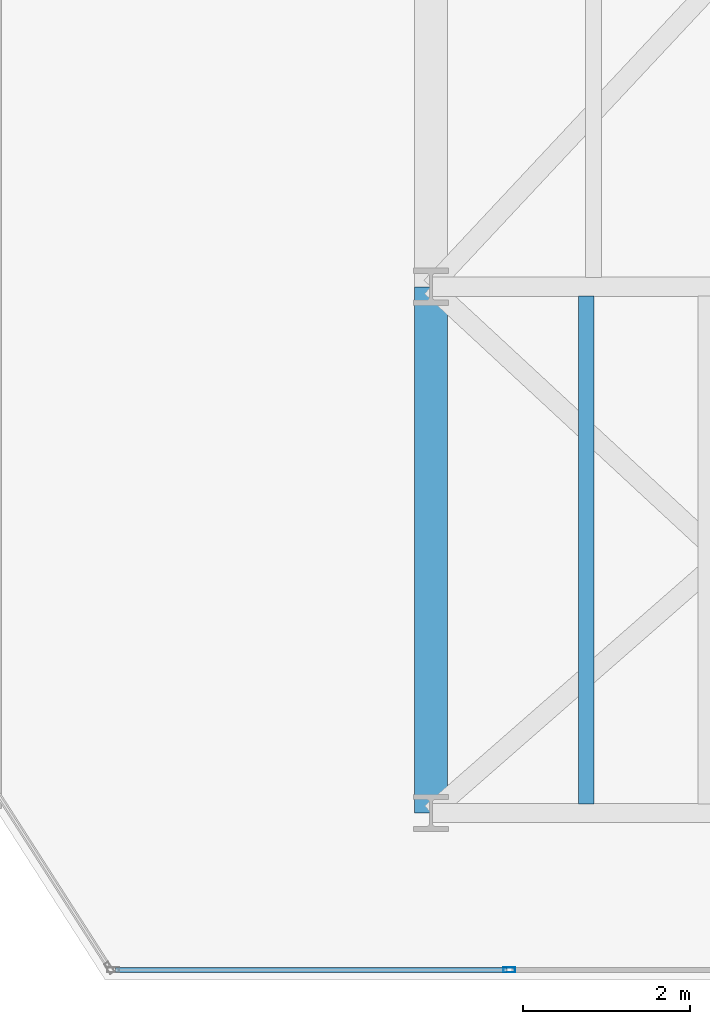
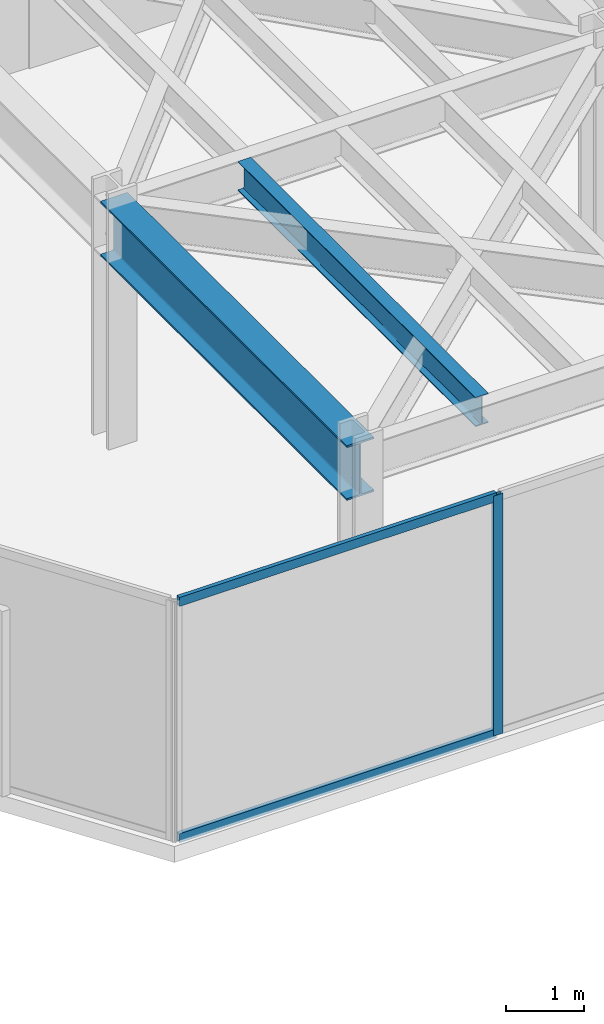
# One storey, part 16 of 26: 3 members, 2 beams, 1 element without a shape of its own.
"""IFC4 building model written with IfcOpenShell, lengths in metres."""

import ifcopenshell
import ifcopenshell.guid

model = None  # the IFC model being written
_history = None  # IfcOwnerHistory: only IFC2X3 demands one
_inside = {}  # id of a spatial element -> (the spatial element, [elements in it])
_under = {}  # id of a project, library or spatial element -> (it, [spatial elements below it])
_declared = {}  # id of a project -> (the project, [libraries it declares])
_typed = {}  # id of a type object -> (the type object, [elements of that type])
_made_of = {}  # id of a material, layer set ... -> (it, [elements and type objects made of it])


def new_model(schema):
    """Start an empty IFC model of exactly this schema.

    Asked for "IFC4X3", IfcOpenShell would pick the latest addendum, in which some entities
    have other attributes; the version numbers below select the first issue.
    IFC2X3 requires an IfcOwnerHistory on every rooted entity: one is made here for all.
    """
    global model, _history
    if schema == "IFC4X3":
        model = ifcopenshell.file(schema_version=(4, 3, 0, 0))
    else:
        model = ifcopenshell.file(schema=schema)
    _inside.clear()
    _under.clear()
    _declared.clear()
    _typed.clear()
    _made_of.clear()
    _history = None
    if model.schema == "IFC2X3":
        org = make("IfcOrganization", Name="unknown")
        user = make(
            "IfcPersonAndOrganization",
            ThePerson=make("IfcPerson", FamilyName="unknown"),
            TheOrganization=org,
        )
        app = make(
            "IfcApplication",
            ApplicationDeveloper=org,
            Version="unknown",
            ApplicationFullName="unknown",
            ApplicationIdentifier="unknown",
        )
        _history = make(
            "IfcOwnerHistory",
            OwningUser=user,
            OwningApplication=app,
            ChangeAction="ADDED",
            CreationDate=0,
        )
    return model


def make(cls, **values):
    """One entity of the class cls with the attributes given. An attribute that is None is left unset."""
    return model.create_entity(
        cls, **{name: value for name, value in values.items() if value is not None}
    )


def rooted(cls, **values):
    """An entity with a GlobalId (a new one), such as an element, a storey or a relation."""
    return make(cls, GlobalId=ifcopenshell.guid.new(), OwnerHistory=_history, **values)


def si_unit(unit_type, name, prefix=None):
    """IfcSIUnit, for example si_unit("LENGTHUNIT", "METRE", prefix="MILLI")."""
    return make("IfcSIUnit", UnitType=unit_type, Prefix=prefix, Name=name)


def assignment(units):
    """IfcUnitAssignment: the units of a project."""
    return None if units is None else make("IfcUnitAssignment", Units=units)


def point(xyz):
    """IfcCartesianPoint."""
    return None if xyz is None else make("IfcCartesianPoint", Coordinates=xyz)


def direction(xyz):
    """IfcDirection."""
    return None if xyz is None else make("IfcDirection", DirectionRatios=xyz)


def frame(location, z_axis=None, x_axis=None):
    """IfcAxis2Placement3D, a coordinate frame: its origin and axes. An axis left out is left unset."""
    return make(
        "IfcAxis2Placement3D",
        Location=point(location),
        Axis=direction(z_axis),
        RefDirection=direction(x_axis),
    )


def frame_2d(location, x_axis=None):
    """IfcAxis2Placement2D, a coordinate frame in the plane: its origin and x axis."""
    return make(
        "IfcAxis2Placement2D", Location=point(location), RefDirection=direction(x_axis)
    )


def origin():
    """The frame at (0, 0, 0) with its axes left unset."""
    return frame((0.0, 0.0, 0.0))


def origin_2d():
    """The frame at (0, 0) in the plane with its x axis left unset."""
    return frame_2d((0.0, 0.0))


def place(relative_to, where):
    """IfcLocalPlacement: puts the frame where relative to a parent placement (None: the world)."""
    return make(
        "IfcLocalPlacement", PlacementRelTo=relative_to, RelativePlacement=where
    )


def context(
    kind, dimensions, precision=None, world=None, true_north=None, identifier=None
):
    """IfcGeometricRepresentationContext, for example the 3D "Model" context."""
    return make(
        "IfcGeometricRepresentationContext",
        ContextIdentifier=identifier,
        ContextType=kind,
        CoordinateSpaceDimension=dimensions,
        Precision=precision,
        WorldCoordinateSystem=world,
        TrueNorth=true_north,
    )


def subcontext(parent, identifier, kind, view, scale=None):
    """IfcGeometricRepresentationSubContext, for example "Body" below "Model"."""
    return make(
        "IfcGeometricRepresentationSubContext",
        ContextIdentifier=identifier,
        ContextType=kind,
        ParentContext=parent,
        TargetScale=scale,
        TargetView=view,
    )


def project(units=None, contexts=None):
    """IfcProject with its units and contexts."""
    return rooted(
        "IfcProject",
        Name="project",
        RepresentationContexts=contexts,
        UnitsInContext=assignment(units),
    )


def spatial(cls, under=None, at=None, **own):
    """A site, building, storey or space (cls), placed at a placement, below another one or the project."""
    s = rooted(cls, ObjectPlacement=at, **own)
    if under is not None:
        _under.setdefault(under.id(), (under, []))[1].append(s)
    return s


def profile(cls, at=None, kind="AREA", **sizes):
    """A parametric profile (cls). Its sizes go by their IFC names, for example OverallWidth=200.0."""
    return make(cls, ProfileType=kind, Position=at, **sizes)


def hollow_rectangle(**sizes):
    """IfcRectangleHollowProfileDef."""
    return profile("IfcRectangleHollowProfileDef", **sizes)


def i_section(**sizes):
    """IfcIShapeProfileDef."""
    return profile("IfcIShapeProfileDef", **sizes)


def extrude(swept, where, along, depth):
    """IfcExtrudedAreaSolid: the profile swept, set in the frame where, extruded along a direction by depth."""
    return make(
        "IfcExtrudedAreaSolid",
        SweptArea=swept,
        Position=where,
        ExtrudedDirection=direction(along),
        Depth=depth,
    )


def shape(context_of_items, identifier, shape_type, items):
    """IfcShapeRepresentation: the items that make up one representation, for example the "Body"."""
    return make(
        "IfcShapeRepresentation",
        ContextOfItems=context_of_items,
        RepresentationIdentifier=identifier,
        RepresentationType=shape_type,
        Items=items,
    )


def material(Name=None, Category=None):
    """IfcMaterial."""
    return make("IfcMaterial", Name=Name, Category=Category)


def layer(
    of_material, thickness, ventilated=None, Name=None, Category=None, Priority=None
):
    """IfcMaterialLayer: one layer of a wall or slab, of a material (None: an air gap)."""
    return make(
        "IfcMaterialLayer",
        Material=of_material,
        LayerThickness=thickness,
        IsVentilated=ventilated,
        Name=Name,
        Category=Category,
        Priority=Priority,
    )


def layer_set(layers, Name=None):
    """IfcMaterialLayerSet."""
    return make("IfcMaterialLayerSet", MaterialLayers=layers, LayerSetName=Name)


def material_profile(
    of_material, cross_section, Name=None, Category=None, Priority=None
):
    """IfcMaterialProfile: a cross section and its material."""
    return make(
        "IfcMaterialProfile",
        Name=Name,
        Material=of_material,
        Profile=cross_section,
        Priority=Priority,
        Category=Category,
    )


def profile_set(profiles, Name=None, composite=None):
    """IfcMaterialProfileSet."""
    return make(
        "IfcMaterialProfileSet",
        Name=Name,
        MaterialProfiles=profiles,
        CompositeProfile=composite,
    )


def made_of(thing, what):
    """Note that an element or type object is made of a material, layer set ...; save() writes the relation."""
    if what is not None:
        _made_of.setdefault(what.id(), (what, []))[1].append(thing)
    return thing


def type_object(cls, material=None, **own):
    """A type object (cls), such as IfcWallType, which elements share."""
    return made_of(rooted(cls, **own), material)


def element(
    cls,
    number,
    at=None,
    inside=None,
    cuts=None,
    type_object=None,
    material=None,
    context=None,
    identifier="Body",
    shape_type=None,
    held_by="IfcProductDefinitionShape",
    body=None,
    shapes=None,
    **own,
):
    """One element of the class cls, such as IfcWall. Its Tag is "e" and its number.

    at: its placement. inside: the storey or other place that contains it. cuts: it is an
    opening in that element (IfcRelVoidsElement). A single representation is given by context,
    identifier, shape_type and body (its items); several are given by shapes. held_by: the class
    of the entity that holds the representations. save() writes the other relations.
    """
    e = rooted(cls, Tag="e%d" % number, ObjectPlacement=at, **own)
    if body is not None:
        shapes = [shape(context, identifier, shape_type, body)]
    if shapes is not None:
        e.Representation = make(held_by, Representations=shapes)
    if inside is not None:
        _inside.setdefault(inside.id(), (inside, []))[1].append(e)
    if cuts is not None:
        rooted(
            "IfcRelVoidsElement", RelatingBuildingElement=cuts, RelatedOpeningElement=e
        )
    if type_object is not None:
        _typed.setdefault(type_object.id(), (type_object, []))[1].append(e)
    return made_of(e, material)


def aggregate(whole, parts):
    """IfcRelAggregates: a whole, such as a stair, and the parts it consists of."""
    return rooted("IfcRelAggregates", RelatingObject=whole, RelatedObjects=parts)


def save(model, path):
    """Write the relations noted so far, then the file.

    IfcRelAggregates (storeys below a building ...), IfcRelContainedInSpatialStructure (elements
    in a storey), IfcRelDefinesByType, IfcRelAssociatesMaterial and IfcRelDeclares: one each for
    every whole, place, type object, material and project.
    """
    for whole, parts in _under.values():
        aggregate(whole, parts)
    for where, things in _inside.values():
        rooted(
            "IfcRelContainedInSpatialStructure",
            RelatedElements=things,
            RelatingStructure=where,
        )
    for kind, things in _typed.values():
        rooted("IfcRelDefinesByType", RelatedObjects=things, RelatingType=kind)
    for what, things in _made_of.values():
        rooted("IfcRelAssociatesMaterial", RelatedObjects=things, RelatingMaterial=what)
    for by, libraries in _declared.values():
        rooted("IfcRelDeclares", RelatingContext=by, RelatedDefinitions=libraries)
    model.write(path)


model = new_model("IFC4")

# Units and contexts
model_context = context("Model", 3, precision=1e-05, world=origin(), true_north=direction((0.0, 1.0)))
body_context = subcontext(model_context, "Body", "Model", "MODEL_VIEW")
ifc_project = project(units=[si_unit("LENGTHUNIT", "METRE"), si_unit("AREAUNIT", "SQUARE_METRE"), si_unit("VOLUMEUNIT", "CUBIC_METRE"), si_unit("PLANEANGLEUNIT", "RADIAN"), si_unit("MASSUNIT", "GRAM", prefix="KILO")], contexts=[model_context])

# Site, building, storey
site_placement = place(None, origin())
site = spatial("IfcSite", under=ifc_project, at=site_placement, CompositionType="ELEMENT")
building_placement = place(site_placement, origin())
building = spatial("IfcBuilding", under=site, at=building_placement, Name="Kravanh Interchange Tower", CompositionType="ELEMENT")
storey_placement = place(building_placement, frame((0.0, 0.0, 148.0)))
storey = spatial("IfcBuildingStorey", under=building, at=storey_placement, Name="L35", CompositionType="ELEMENT", Elevation=148.0)

# Curtain wall, members
ifc_material_1 = material(Name="Anodised Bronze Aluminium", Category="aluminium")
ifc_layer = layer(ifc_material_1, 0.179931640625)
ifc_layer_set = layer_set([ifc_layer], Name="Unitised Curtain Wall System CW-Z2 Mid Office")
curtain_wall_type = type_object("IfcCurtainWallType", Name="Unitised Curtain Wall System CW-Z2 Mid Office", PredefinedType="NOTDEFINED", material=ifc_layer_set)
curtain_wall_placement = place(storey_placement, origin())
curtain_wall = element("IfcCurtainWall", 1, at=curtain_wall_placement, inside=storey, type_object=curtain_wall_type, Name="L35 Unitised Curtain Wall CW-L35-03", PredefinedType="NOTDEFINED")
ifc_material_2 = material(Name="Anodised Bronze Aluminium", Category="aluminium")
ifc_material_profile_1 = material_profile(ifc_material_2, hollow_rectangle(XDim=0.06005859375, YDim=0.139892578125, WallThickness=0.00390625, at=origin_2d()), Name="ALU60X140X4")
ifc_profile_set_1 = profile_set([ifc_material_profile_1], Name="Anodised Bronze Aluminium")
member_type_1 = type_object("IfcMemberType", Name="Curtain Wall Mullion ALU60X140X4 Bronze", PredefinedType="MULLION", material=ifc_profile_set_1)
member_1_placement = place(storey_placement, frame((56.93798828125, 6.320068359375, 0.0), z_axis=(0.0, 0.0, 1.0), x_axis=(0.0, -1.0, 0.0)))
member_1 = element("IfcMember", 2, at=member_1_placement, type_object=member_type_1, Name="CW-Z2 mullion 2", PredefinedType="MULLION", context=body_context, shape_type="SweptSolid", body=[
    extrude(hollow_rectangle(XDim=0.06005859375, YDim=0.139892578125, WallThickness=0.00390625, at=origin_2d()), origin(), (0.0, 0.0, 1.0), 3.75),
])
ifc_material_3 = material(Name="Anodised Bronze Aluminium", Category="aluminium")
ifc_material_profile_2 = material_profile(ifc_material_3, hollow_rectangle(XDim=0.06005859375, YDim=0.139892578125, WallThickness=0.00390625, at=origin_2d()), Name="ALU60X140X4")
ifc_profile_set_2 = profile_set([ifc_material_profile_2], Name="Anodised Bronze Aluminium")
member_type_2 = type_object("IfcMemberType", Name="Curtain Wall Transom ALU60X140X4 Bronze", PredefinedType="USERDEFINED", material=ifc_profile_set_2)
member_2_placement = place(storey_placement, frame((56.907958984375, 6.320068359375, 0.030029296875), z_axis=(-1.0, 0.0, 0.0), x_axis=(0.0, -1.0, 0.0)))
member_2 = element("IfcMember", 3, at=member_2_placement, type_object=member_type_2, Name="CW-Z2 transom 2.1", ObjectType="TRANSOM", PredefinedType="USERDEFINED", context=body_context, shape_type="SweptSolid", body=[
    extrude(hollow_rectangle(XDim=0.06005859375, YDim=0.139892578125, WallThickness=0.00390625, at=origin_2d()), origin(), (0.0, 0.0, 1.0), 4.682373046875),
])
member_3_placement = place(storey_placement, frame((56.907958984375, 6.320068359375, 3.719970703125), z_axis=(-1.0, 0.0, 0.0), x_axis=(0.0, -1.0, 0.0)))
member_3 = element("IfcMember", 4, at=member_3_placement, type_object=member_type_2, Name="CW-Z2 transom 2.2", ObjectType="TRANSOM", PredefinedType="USERDEFINED", context=body_context, shape_type="SweptSolid", body=[
    extrude(hollow_rectangle(XDim=0.06005859375, YDim=0.139892578125, WallThickness=0.00390625, at=origin_2d()), origin(), (0.0, 0.0, 1.0), 4.682373046875),
])
aggregate(curtain_wall, [member_1, member_2, member_3])

# Beams
ifc_material_4 = material(Name="Structural Steel S355", Category="steel")
ifc_material_profile_3 = material_profile(ifc_material_4, i_section(OverallWidth=0.39990234375, OverallDepth=0.85595703125, WebThickness=0.018310546875, FlangeThickness=0.029296875, FilletRadius=0.02490234375, at=origin_2d()), Name="W33X201")
ifc_profile_set_3 = profile_set([ifc_material_profile_3], Name="Structural Steel S355")
beam_type_1 = type_object("IfcBeamType", Name="Floor Beam W33X201 Structural Steel S355", PredefinedType="BEAM", material=ifc_profile_set_3)
beam_1_placement = place(storey_placement, frame((56.0, 8.199951171875, 3.322021484375), z_axis=(0.0, 1.0, 0.0), x_axis=(-1.0, 0.0, 0.0)))
element("IfcBeam", 5, at=beam_1_placement, inside=storey, type_object=beam_type_1, Name="L35 Primary Floor Girder 95", PredefinedType="BEAM", context=body_context, shape_type="SweptSolid", body=[
    extrude(i_section(OverallWidth=0.39990234375, OverallDepth=0.85595703125, WebThickness=0.018310546875, FlangeThickness=0.029296875, FilletRadius=0.02490234375, at=origin_2d()), origin(), (0.0, 0.0, 1.0), 6.300048828125),
])
ifc_material_5 = material(Name="Structural Steel S355", Category="steel")
ifc_material_profile_4 = material_profile(ifc_material_5, i_section(OverallWidth=0.18994140625, OverallDepth=0.45703125, WebThickness=0.009033203125, FlangeThickness=0.014404296875, FilletRadius=0.01806640625, at=origin_2d()), Name="W18X50")
ifc_profile_set_4 = profile_set([ifc_material_profile_4], Name="Structural Steel S355")
beam_type_2 = type_object("IfcBeamType", Name="Floor Joist W18X50 Structural Steel S355", PredefinedType="JOIST", material=ifc_profile_set_4)
beam_2_placement = place(storey_placement, frame((57.860107421875, 8.30908203125, 3.521484375), z_axis=(0.0, 1.0, 0.0), x_axis=(-1.0, 0.0, 0.0)))
element("IfcBeam", 6, at=beam_2_placement, inside=storey, type_object=beam_type_2, Name="L35 Secondary Floor Joist 4", PredefinedType="JOIST", context=body_context, shape_type="SweptSolid", body=[
    extrude(i_section(OverallWidth=0.18994140625, OverallDepth=0.45703125, WebThickness=0.009033203125, FlangeThickness=0.014404296875, FilletRadius=0.01806640625, at=origin_2d()), origin(), (0.0, 0.0, 1.0), 6.08203125),
])

save(model, "model.ifc")
